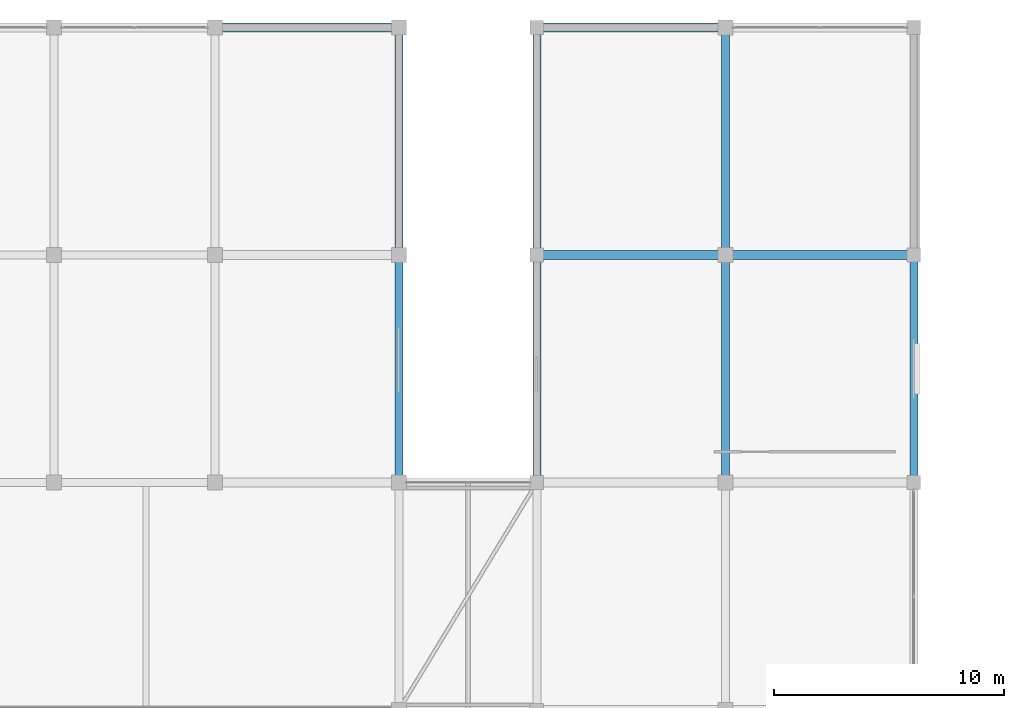
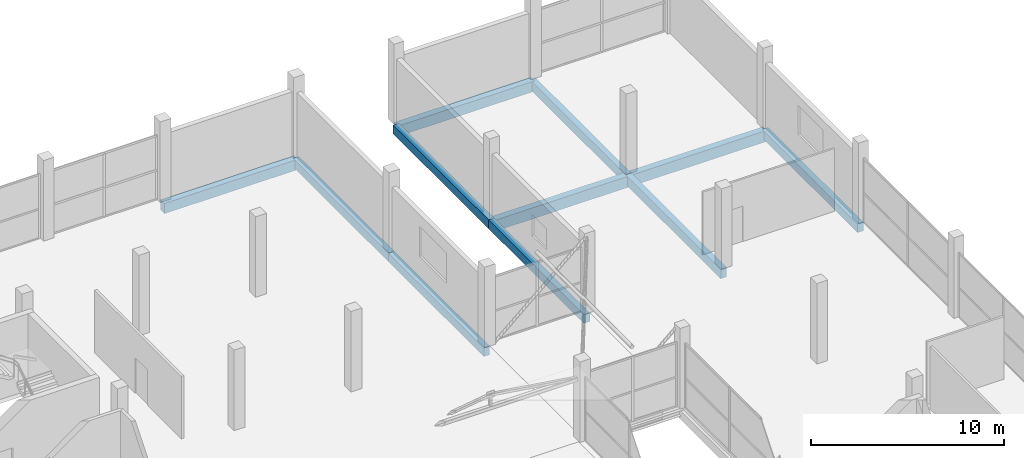
# One storey, part 40 of 58: 11 beams.
"""IFC4 building model written with IfcOpenShell, lengths in metres."""

from ifc_helpers import new_model, si_unit, direction, frame, origin, origin_2d, place, context, subcontext, project, spatial, rectangle, extrude, material, material_profile, profile_set, type_object, element, save


model = new_model("IFC4")

# Units and contexts
model_context = context("Model", 3, precision=1e-05, world=origin(), true_north=direction((0.0, 1.0)))
body_context = subcontext(model_context, "Body", "Model", "MODEL_VIEW")
ifc_project = project(units=[si_unit("LENGTHUNIT", "METRE"), si_unit("AREAUNIT", "SQUARE_METRE"), si_unit("VOLUMEUNIT", "CUBIC_METRE"), si_unit("PLANEANGLEUNIT", "RADIAN"), si_unit("MASSUNIT", "GRAM", prefix="KILO")], contexts=[model_context])

# Site, building, storey
site_placement = place(None, origin())
site = spatial("IfcSite", under=ifc_project, at=site_placement, CompositionType="ELEMENT")
building_placement = place(site_placement, origin())
building = spatial("IfcBuilding", under=site, at=building_placement, Name="Sillaruma Civic Art Gallery", CompositionType="ELEMENT")
storey_placement = place(building_placement, frame((0.0, 0.0, 52.02001953125)))
storey = spatial("IfcBuildingStorey", under=building, at=storey_placement, Name="L10", CompositionType="ELEMENT", Elevation=52.02001953125)

# Beams
ifc_material = material(Name="Concrete H35 (35 MPa)", Category="concrete")
ifc_material_profile_1 = material_profile(ifc_material, rectangle(XDim=0.35009765625, YDim=0.60009765625, at=origin_2d()), Name="RCB350x600")
ifc_profile_set_1 = profile_set([ifc_material_profile_1], Name="Concrete H35 (35 MPa)")
beam_type_1 = type_object("IfcBeamType", Name="BM-BEAM-RCB350x600", PredefinedType="BEAM", material=ifc_profile_set_1)
beam_1_placement = place(storey_placement, frame((106.199951171875, 79.199951171875, -0.550048828125), z_axis=(0.0, 1.0, 0.0), x_axis=(-1.0, 0.0, 0.0)))
element("IfcBeam", 1, at=beam_1_placement, inside=storey, type_object=beam_type_1, Name="Beam BM-06 (L09:M:9-10)", PredefinedType="BEAM", context=body_context, shape_type="SweptSolid", body=[
    extrude(rectangle(XDim=0.35009765625, YDim=0.60009765625, at=origin_2d()), origin(), (0.0, 0.0, 1.0), 9.900146484375),
])
beam_2_placement = place(storey_placement, frame((106.199951171875, 89.10009765625, -0.550048828125), z_axis=(0.0, 1.0, 0.0), x_axis=(-1.0, 0.0, 0.0)))
element("IfcBeam", 2, at=beam_2_placement, inside=storey, type_object=beam_type_1, Name="Beam BM-06 (L09:M:10-11)", PredefinedType="BEAM", context=body_context, shape_type="SweptSolid", body=[
    extrude(rectangle(XDim=0.35009765625, YDim=0.60009765625, at=origin_2d()), origin(), (0.0, 0.0, 1.0), 9.89990234375),
])
ifc_material_profile_2 = material_profile(ifc_material, rectangle(XDim=0.39990234375, YDim=0.699951171875, at=origin_2d()), Name="RCB400x700")
ifc_profile_set_2 = profile_set([ifc_material_profile_2], Name="Concrete H35 (35 MPa)")
beam_type_2 = type_object("IfcBeamType", Name="BM-BEAM-RCB400x700", PredefinedType="BEAM", material=ifc_profile_set_2)
for number, where, z_axis, x_axis, name in (
    (3, (98.0, 89.10009765625, -0.60009765625), (1.0, 0.0, 0.0), (0.0, 1.0, 0.0), "Beam BM-04 (L09:10:L-M)"),
    (4, (106.199951171875, 89.10009765625, -0.60009765625), (1.0, 0.0, 0.0), (0.0, 1.0, 0.0), "Beam BM-04 (L09:10:M-N)"),
):
    element("IfcBeam", number, at=place(storey_placement, frame(where, z_axis=z_axis, x_axis=x_axis)), inside=storey, type_object=beam_type_2, Name=name, PredefinedType="BEAM", context=body_context, shape_type="SweptSolid", body=[
        extrude(rectangle(XDim=0.39990234375, YDim=0.699951171875, at=origin_2d()), origin(), (0.0, 0.0, 1.0), 8.199951171875),
    ])
ifc_material_profile_3 = material_profile(ifc_material, rectangle(XDim=0.35009765625, YDim=0.550048828125, at=origin_2d()), Name="RCB350x550")
ifc_profile_set_3 = profile_set([ifc_material_profile_3], Name="Concrete H35 (35 MPa)")
beam_type_3 = type_object("IfcBeamType", Name="BM-SPANDREL-RCB350x550", PredefinedType="SPANDREL", material=ifc_profile_set_3)
beam_3_placement = place(storey_placement, frame((92.0, 79.199951171875, -0.52490234375), z_axis=(0.0, 1.0, 0.0), x_axis=(-1.0, 0.0, 0.0)))
element("IfcBeam", 5, at=beam_3_placement, inside=storey, type_object=beam_type_3, Name="Beam BS-04 (L09:K:9-10)", PredefinedType="SPANDREL", context=body_context, shape_type="SweptSolid", body=[
    extrude(rectangle(XDim=0.35009765625, YDim=0.550048828125, at=origin_2d()), origin(), (0.0, 0.0, 1.0), 9.900146484375),
])
beam_4_placement = place(storey_placement, frame((92.0, 89.10009765625, -0.52490234375), z_axis=(0.0, 1.0, 0.0), x_axis=(-1.0, 0.0, 0.0)))
element("IfcBeam", 6, at=beam_4_placement, inside=storey, type_object=beam_type_3, Name="Beam BS-04 (L09:K:10-11)", PredefinedType="SPANDREL", context=body_context, shape_type="SweptSolid", body=[
    extrude(rectangle(XDim=0.35009765625, YDim=0.550048828125, at=origin_2d()), origin(), (0.0, 0.0, 1.0), 9.89990234375),
])
beam_5_placement = place(storey_placement, frame((98.0, 79.199951171875, -0.52490234375), z_axis=(0.0, 1.0, 0.0), x_axis=(-1.0, 0.0, 0.0)))
element("IfcBeam", 7, at=beam_5_placement, inside=storey, type_object=beam_type_3, Name="Beam BS-04 (L09:L:9-10)", PredefinedType="SPANDREL", context=body_context, shape_type="SweptSolid", body=[
    extrude(rectangle(XDim=0.35009765625, YDim=0.550048828125, at=origin_2d()), origin(), (0.0, 0.0, 1.0), 9.900146484375),
])
beam_6_placement = place(storey_placement, frame((98.0, 89.10009765625, -0.52490234375), z_axis=(0.0, 1.0, 0.0), x_axis=(-1.0, 0.0, 0.0)))
element("IfcBeam", 8, at=beam_6_placement, inside=storey, type_object=beam_type_3, Name="Beam BS-04 (L09:L:10-11)", PredefinedType="SPANDREL", context=body_context, shape_type="SweptSolid", body=[
    extrude(rectangle(XDim=0.35009765625, YDim=0.550048828125, at=origin_2d()), origin(), (0.0, 0.0, 1.0), 9.89990234375),
])
beam_7_placement = place(storey_placement, frame((114.39990234375, 79.199951171875, -0.52490234375), z_axis=(0.0, 1.0, 0.0), x_axis=(-1.0, 0.0, 0.0)))
element("IfcBeam", 9, at=beam_7_placement, inside=storey, type_object=beam_type_3, Name="Beam BS-04 (L09:N:9-10)", PredefinedType="SPANDREL", context=body_context, shape_type="SweptSolid", body=[
    extrude(rectangle(XDim=0.35009765625, YDim=0.550048828125, at=origin_2d()), origin(), (0.0, 0.0, 1.0), 9.900146484375),
])
ifc_material_profile_4 = material_profile(ifc_material, rectangle(XDim=0.39990234375, YDim=0.64990234375, at=origin_2d()), Name="RCB400x650")
ifc_profile_set_4 = profile_set([ifc_material_profile_4], Name="Concrete H35 (35 MPa)")
beam_type_4 = type_object("IfcBeamType", Name="BM-SPANDREL-RCB400x650", PredefinedType="SPANDREL", material=ifc_profile_set_4)
beam_8_placement = place(storey_placement, frame((84.0, 99.0, -0.574951171875), z_axis=(1.0, 0.0, 0.0), x_axis=(0.0, 1.0, 0.0)))
element("IfcBeam", 10, at=beam_8_placement, inside=storey, type_object=beam_type_4, Name="Beam BS-02 (L09:11:J-K)", PredefinedType="SPANDREL", context=body_context, shape_type="SweptSolid", body=[
    extrude(rectangle(XDim=0.39990234375, YDim=0.64990234375, at=origin_2d()), origin(), (0.0, 0.0, 1.0), 8.0),
])
beam_9_placement = place(storey_placement, frame((98.0, 99.0, -0.574951171875), z_axis=(1.0, 0.0, 0.0), x_axis=(0.0, 1.0, 0.0)))
element("IfcBeam", 11, at=beam_9_placement, inside=storey, type_object=beam_type_4, Name="Beam BS-02 (L09:11:L-M)", PredefinedType="SPANDREL", context=body_context, shape_type="SweptSolid", body=[
    extrude(rectangle(XDim=0.39990234375, YDim=0.64990234375, at=origin_2d()), origin(), (0.0, 0.0, 1.0), 8.199951171875),
])

save(model, "model.ifc")
